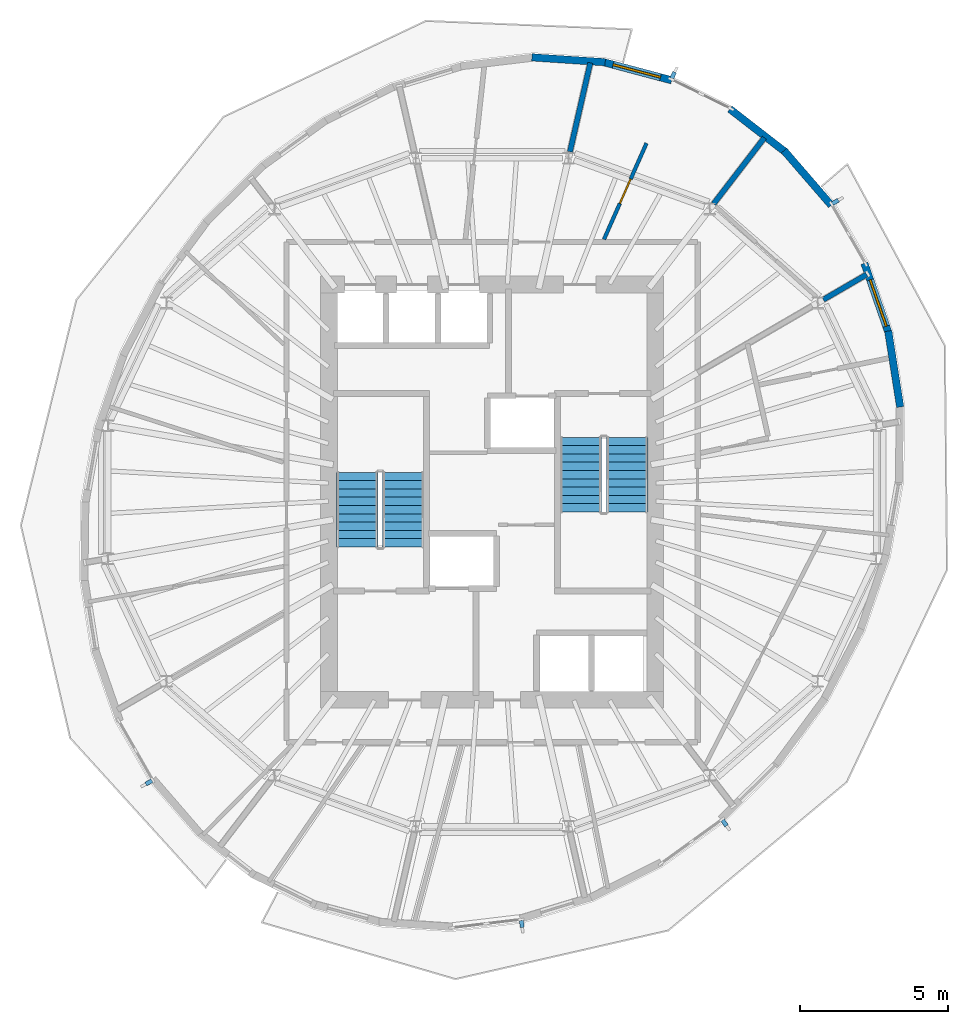
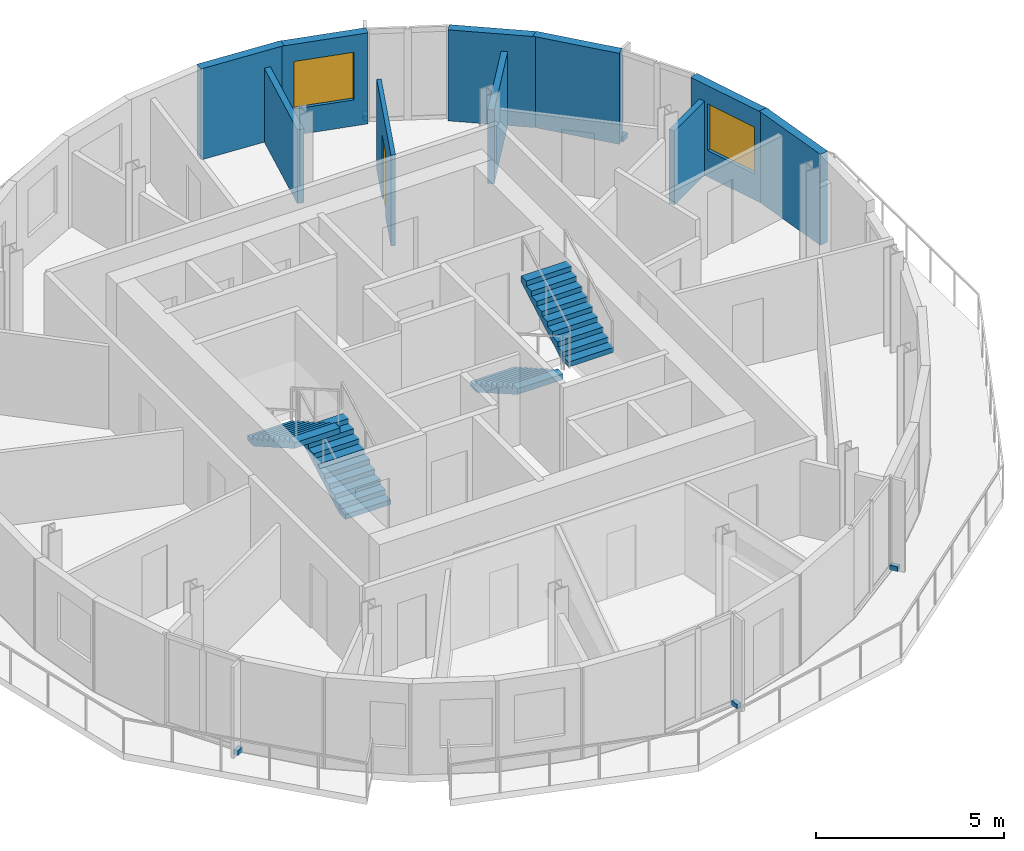
# One storey, part 7 of 9: 10 walls, 5 discrete accessories, 4 stair flights, 2 windows, 1 door, 3 openings, 2 elements without a shape of their own.
"""IFC4 building model written with IfcOpenShell, lengths in metres."""

from ifc_helpers import new_model, si_unit, direction, frame, frame_2d, origin, origin_2d, place, context, subcontext, project, spatial, polyline, rectangle, outline, extrude, material, layer, layer_set, type_object, element, fill, aggregate, save


model = new_model("IFC4")

# Units and contexts
model_context = context("Model", 3, precision=1e-05, world=origin(), true_north=direction((0.0, 1.0)))
body_context = subcontext(model_context, "Body", "Model", "MODEL_VIEW")
ifc_project = project(units=[si_unit("LENGTHUNIT", "METRE"), si_unit("AREAUNIT", "SQUARE_METRE"), si_unit("VOLUMEUNIT", "CUBIC_METRE"), si_unit("PLANEANGLEUNIT", "RADIAN"), si_unit("MASSUNIT", "GRAM", prefix="KILO")], contexts=[model_context])

# Site, building, storey
site_placement = place(None, origin())
site = spatial("IfcSite", under=ifc_project, at=site_placement, CompositionType="ELEMENT")
building_placement = place(site_placement, origin())
building = spatial("IfcBuilding", under=site, at=building_placement, Name="Veldorim Arch Residences", CompositionType="ELEMENT")
storey_placement = place(building_placement, frame((0.0, 0.0, 230.239990234375)))
storey = spatial("IfcBuildingStorey", under=building, at=storey_placement, Name="L69", CompositionType="ELEMENT", Elevation=230.239990234375)

# Wall, opening, door
ifc_material_1 = material(Name="Acoustic Gypsum Board", Category="gypsum")
ifc_layer_1 = layer(ifc_material_1, 0.125, Name="Acoustic Stud Room Partition Wall 125")
ifc_layer_set_1 = layer_set([ifc_layer_1], Name="Acoustic Gypsum Board")
wall_type_1 = type_object("IfcWallType", Name="Acoustic Stud Room Partition Wall 125", PredefinedType="PARTITIONING", material=ifc_layer_set_1)
wall_1_placement = place(storey_placement, frame((37.2041015625, 35.761474609375, 0.0), z_axis=(0.0, 0.0, 1.0), x_axis=(-0.404629035619, -0.9144809148, 0.0)))
wall_1 = element("IfcWall", 1, at=wall_1_placement, inside=storey, type_object=wall_type_1, Name="L69 interior wall WL-RES-L69-019", PredefinedType="PARTITIONING", context=body_context, shape_type="SweptSolid", body=[
    extrude(rectangle(XDim=3.54296875, YDim=0.125, at=frame_2d((1.771484375, 0.0))), origin(), (0.0, 0.0, 1.0), 2.955078125),
])
opening_1_placement = place(wall_1_placement, frame((1.321533203125, 0.0, 0.0)))
opening_1 = element("IfcOpeningElement", 2, at=opening_1_placement, cuts=wall_1, Name="Opening DR-INT", PredefinedType="OPENING", context=body_context, shape_type="SweptSolid", body=[
    extrude(rectangle(XDim=0.89990234375, YDim=2.10009765625, at=frame_2d((0.449951171875, 1.050048828125))), frame((0.0, 0.072509765625, 0.0), z_axis=(0.0, -1.0, 0.0), x_axis=(1.0, 0.0, 0.0)), (0.0, 0.0, 1.0), 0.14501953125),
])
ifc_material_2 = material(Name="Engineered Timber", Category="wood")
door_type = type_object("IfcDoorType", Name="Apartment Internal Room Timber Door 900x2100", OperationType="SINGLE_SWING_LEFT", PredefinedType="DOOR", material=ifc_material_2)
door_placement = place(opening_1_placement, origin())
door = element("IfcDoor", 3, at=door_placement, inside=storey, type_object=door_type, Name="L69 interior door DR-RES-L69-013", OperationType="SINGLE_SWING_LEFT", OverallHeight=2.10009765625, OverallWidth=0.89990234375, PredefinedType="DOOR", context=body_context, shape_type="SweptSolid", body=[
    extrude(rectangle(XDim=0.89990234375, YDim=2.10009765625, at=frame_2d((0.449951171875, 1.050048828125))), frame((0.0, 0.02490234375, 0.0), z_axis=(0.0, -1.0, 0.0), x_axis=(1.0, 0.0, 0.0)), (0.0, 0.0, 1.0), 0.050048828125),
])
fill(opening_1, door)

# Walls
ifc_material_3 = material(Name="Lightweight Masonry Block & Gypsum", Category="masonry")
ifc_layer_2 = layer(ifc_material_3, 0.179931640625, Name="Compartment & Corridor Fire-Rated Party Wall 180")
ifc_layer_set_2 = layer_set([ifc_layer_2], Name="Lightweight Masonry Block & Gypsum")
wall_type_2 = type_object("IfcWallType", Name="Compartment & Corridor Fire-Rated Party Wall 180", PredefinedType="PARTITIONING", material=ifc_layer_set_2)
wall_2_placement = place(storey_placement, frame((43.165283203125, 30.48828125, 0.0), z_axis=(0.0, 0.0, 1.0), x_axis=(0.864596354204, 0.502467057923, 0.0)))
element("IfcWall", 4, at=wall_2_placement, inside=storey, type_object=wall_type_2, Name="L69 interior wall WL-PIER-L69-02", PredefinedType="PARTITIONING", context=body_context, shape_type="SweptSolid", body=[
    extrude(rectangle(XDim=1.6875, YDim=0.179931640625, at=frame_2d((0.84375, 0.0))), origin(), (0.0, 0.0, 1.0), 2.4033203125),
])
wall_3_placement = place(storey_placement, frame((39.46728515625, 33.719482421875, 0.0), z_axis=(0.0, 0.0, 1.0), x_axis=(0.609243973043, 0.792982837967, 0.0)))
element("IfcWall", 5, at=wall_3_placement, inside=storey, type_object=wall_type_2, Name="L69 interior wall WL-PIER-L69-03", PredefinedType="PARTITIONING", context=body_context, shape_type="SweptSolid", body=[
    extrude(rectangle(XDim=2.806396484375, YDim=0.179931640625, at=frame_2d((1.4033203125, 0.0))), origin(), (0.0, 0.0, 1.0), 2.4033203125),
])
wall_4_placement = place(storey_placement, frame((34.6240234375, 35.473388671875, 0.0), z_axis=(0.0, 0.0, 1.0), x_axis=(0.223020975075, 0.974813646128, 0.0)))
element("IfcWall", 6, at=wall_4_placement, inside=storey, type_object=wall_type_2, Name="L69 interior wall WL-PIER-L69-04", PredefinedType="PARTITIONING", context=body_context, shape_type="SweptSolid", body=[
    extrude(rectangle(XDim=3.074951171875, YDim=0.179931640625, at=frame_2d((1.53759765625, 0.0))), origin(), (0.0, 0.0, 1.0), 2.4033203125),
])

# Wall, opening, window
ifc_material_4 = material(Name="Precast concrete C40/50", Category="concrete")
ifc_layer_3 = layer(ifc_material_4, 0.25, Name="Tower Terracotta Spandrel & Pier Wall 250")
ifc_layer_set_3 = layer_set([ifc_layer_3], Name="Precast concrete C40/50")
wall_type_3 = type_object("IfcWallType", Name="Tower Terracotta Spandrel & Pier Wall 250", PredefinedType="SOLIDWALL", material=ifc_layer_set_3)
wall_5_placement = place(storey_placement, frame((35.69970703125, 38.510986328125, 0.0), z_axis=(0.0, 0.0, 1.0), x_axis=(0.96631636381, -0.257357115761, 0.0)))
wall_5 = element("IfcWall", 7, at=wall_5_placement, inside=storey, type_object=wall_type_3, Name="L69 terracotta facade wall 02", PredefinedType="SOLIDWALL", context=body_context, shape_type="SweptSolid", body=[
    extrude(rectangle(XDim=2.43701171875, YDim=0.25, at=frame_2d((1.218505859375, 0.0))), origin(), (0.0, 0.0, 1.0), 2.9599609375),
])
opening_2_placement = place(wall_5_placement, frame((0.39306640625, 0.0, 0.85009765625)))
opening_2 = element("IfcOpeningElement", 8, at=opening_2_placement, cuts=wall_5, Name="Opening WN-03", PredefinedType="OPENING", context=body_context, shape_type="SweptSolid", body=[
    extrude(rectangle(XDim=1.64990234375, YDim=1.550048828125, at=frame_2d((0.824951171875, 0.77490234375))), frame((0.0, 0.135009765625, 0.0), z_axis=(0.0, -1.0, 0.0), x_axis=(1.0, 0.0, 0.0)), (0.0, 0.0, 1.0), 0.27001953125),
])
ifc_material_5 = material(Name="Laminated Low-E Glass", Category="glass")
window_type = type_object("IfcWindowType", Name="Residential Wide Window 1650x1550", PartitioningType="SINGLE_PANEL", PredefinedType="WINDOW", material=ifc_material_5)
window_1_placement = place(opening_2_placement, origin())
window_1 = element("IfcWindow", 9, at=window_1_placement, inside=storey, type_object=window_type, Name="L69 solar-control facade window 02", OverallHeight=1.550048828125, OverallWidth=1.64990234375, PartitioningType="SINGLE_PANEL", PredefinedType="WINDOW", context=body_context, shape_type="SweptSolid", body=[
    extrude(rectangle(XDim=1.64990234375, YDim=1.550048828125, at=frame_2d((0.824951171875, 0.77490234375))), frame((0.0, 0.030029296875, 0.0), z_axis=(0.0, -1.0, 0.0), x_axis=(1.0, 0.0, 0.0)), (0.0, 0.0, 1.0), 0.06005859375),
])
fill(opening_2, window_1)

# Walls
wall_6_placement = place(storey_placement, frame((33.339599609375, 38.658203125, 0.0), z_axis=(0.0, 0.0, 1.0), x_axis=(0.997759800667, -0.06689828228, 0.0)))
element("IfcWall", 10, at=wall_6_placement, inside=storey, type_object=wall_type_3, Name="L69 terracotta facade wall 03", PredefinedType="SOLIDWALL", context=body_context, shape_type="SweptSolid", body=[
    extrude(rectangle(XDim=2.47802734375, YDim=0.25, at=frame_2d((1.239013671875, 0.0))), origin(), (0.0, 0.0, 1.0), 2.9599609375),
])
wall_7_placement = place(storey_placement, frame((45.353271484375, 29.430908203125, 0.0), z_axis=(0.0, 0.0, 1.0), x_axis=(0.155778786526, -0.987791966797, 0.0)))
element("IfcWall", 11, at=wall_7_placement, inside=storey, type_object=wall_type_3, Name="L69 terracotta facade wall 32", PredefinedType="SOLIDWALL", context=body_context, shape_type="SweptSolid", body=[
    extrude(rectangle(XDim=2.59228515625, YDim=0.25, at=frame_2d((1.296142578125, 0.0))), origin(), (0.0, 0.0, 1.0), 2.9599609375),
])

# Wall, opening, window
wall_8_placement = place(storey_placement, frame((44.55126953125, 31.715087890625, 0.0), z_axis=(0.0, 0.0, 1.0), x_axis=(0.327428450427, -0.944875975909, 0.0)))
wall_8 = element("IfcWall", 12, at=wall_8_placement, inside=storey, type_object=wall_type_3, Name="L69 terracotta facade wall 33", PredefinedType="SOLIDWALL", context=body_context, shape_type="SweptSolid", body=[
    extrude(rectangle(XDim=2.5322265625, YDim=0.25, at=frame_2d((1.26611328125, 0.0))), origin(), (0.0, 0.0, 1.0), 2.9599609375),
])
opening_3_placement = place(wall_8_placement, frame((0.593017578125, 0.0, 0.85009765625)))
opening_3 = element("IfcOpeningElement", 13, at=opening_3_placement, cuts=wall_8, Name="Opening WN-03", PredefinedType="OPENING", context=body_context, shape_type="SweptSolid", body=[
    extrude(rectangle(XDim=1.64990234375, YDim=1.52001953125, at=frame_2d((0.824951171875, 0.760009765625))), frame((0.0, 0.135009765625, 0.0), z_axis=(0.0, -1.0, 0.0), x_axis=(1.0, 0.0, 0.0)), (0.0, 0.0, 1.0), 0.27001953125),
])
window_2_placement = place(opening_3_placement, origin())
window_2 = element("IfcWindow", 14, at=window_2_placement, inside=storey, type_object=window_type, Name="L69 solar-control facade window 33", OverallHeight=1.52001953125, OverallWidth=1.64990234375, PartitioningType="SINGLE_PANEL", PredefinedType="WINDOW", context=body_context, shape_type="SweptSolid", body=[
    extrude(rectangle(XDim=1.64990234375, YDim=1.52001953125, at=frame_2d((0.824951171875, 0.760009765625))), frame((0.0, 0.030029296875, 0.0), z_axis=(0.0, -1.0, 0.0), x_axis=(1.0, 0.0, 0.0)), (0.0, 0.0, 1.0), 0.06005859375),
])
fill(opening_3, window_2)

# Walls
wall_9_placement = place(storey_placement, frame((41.840576171875, 35.514404296875, 0.0), z_axis=(0.0, 0.0, 1.0), x_axis=(0.653838956375, -0.756633741732, 0.0)))
element("IfcWall", 15, at=wall_9_placement, inside=storey, type_object=wall_type_3, Name="L69 terracotta facade wall 35", PredefinedType="SOLIDWALL", context=body_context, shape_type="SweptSolid", body=[
    extrude(rectangle(XDim=2.436767578125, YDim=0.25, at=frame_2d((1.21826171875, 0.0))), origin(), (0.0, 0.0, 1.0), 2.9599609375),
])
wall_10_placement = place(storey_placement, frame((40.01513671875, 36.915283203125, 0.0), z_axis=(0.0, 0.0, 1.0), x_axis=(0.790325704793, -0.612686935019, 0.0)))
element("IfcWall", 16, at=wall_10_placement, inside=storey, type_object=wall_type_3, Name="L69 terracotta facade wall 36", PredefinedType="SOLIDWALL", context=body_context, shape_type="SweptSolid", body=[
    extrude(rectangle(XDim=2.414794921875, YDim=0.25, at=frame_2d((1.20751953125, 0.0))), origin(), (0.0, 0.0, 1.0), 2.9599609375),
])

# Stair, stair flights
ifc_material_6 = material(Name="Concrete C40/50", Category="concrete")
stair_type = type_object("IfcStairType", Name="Reinforced Concrete Dogleg Exit Staircase", PredefinedType="HALF_TURN_STAIR", material=ifc_material_6)
stair_1_placement = place(storey_placement, origin())
stair_1 = element("IfcStair", 17, at=stair_1_placement, inside=storey, type_object=stair_type, Name="L69 Exit Staircase ST-1", PredefinedType="HALF_TURN_STAIR")
ifc_material_7 = material(Name="Concrete C40/50", Category="concrete")
stair_flight_type = type_object("IfcStairFlightType", Name="Reinforced Concrete Stair Flight 1400", PredefinedType="STRAIGHT", material=ifc_material_7)
stair_flight_1_placement = place(storey_placement, frame((29.010009765625, 22.14990234375, 0.0), z_axis=(0.0, 0.0, 1.0), x_axis=(0.0, 1.0, 0.0)))
stair_flight_1 = element("IfcStairFlight", 18, at=stair_flight_1_placement, type_object=stair_flight_type, Name="ST-1 flight 1", NumberOfRisers=10, NumberOfTreads=9, PredefinedType="STRAIGHT", RiserHeight=0.16, TreadLength=0.28, context=body_context, shape_type="SweptSolid", body=[
    extrude(outline(polyline([(0.0, 0.0), (0.0, 0.159912109375), (0.280029296875, 0.159912109375), (0.280029296875, 0.320068359375), (0.56005859375, 0.320068359375), (0.56005859375, 0.47998046875), (0.840087890625, 0.47998046875), (0.840087890625, 0.639892578125), (1.1201171875, 0.639892578125), (1.1201171875, 0.800048828125), (1.39990234375, 0.800048828125), (1.39990234375, 0.9599609375), (1.679931640625, 0.9599609375), (1.679931640625, 1.1201171875), (1.9599609375, 1.1201171875), (1.9599609375, 1.280029296875), (2.239990234375, 1.280029296875), (2.239990234375, 1.43994140625), (2.52001953125, 1.43994140625), (2.52001953125, 1.60009765625), (2.52001953125, 1.255859375), (0.322265625, 0.0), (0.0, 0.0)])), frame((0.0, 0.699951171875, 0.0), z_axis=(0.0, -1.0, 0.0), x_axis=(1.0, 0.0, 0.0)), (0.0, 0.0, 1.0), 1.39990234375),
])
stair_flight_2_placement = place(storey_placement, frame((27.449951171875, 24.669921875, 1.60009765625), z_axis=(0.0, 0.0, 1.0), x_axis=(0.0, -1.0, 0.0)))
stair_flight_2 = element("IfcStairFlight", 19, at=stair_flight_2_placement, type_object=stair_flight_type, Name="ST-1 flight 2", NumberOfRisers=10, NumberOfTreads=9, PredefinedType="STRAIGHT", RiserHeight=0.16, TreadLength=0.28, context=body_context, shape_type="SweptSolid", body=[
    extrude(outline(polyline([(0.0, 0.0), (0.0, 0.159912109375), (0.280029296875, 0.159912109375), (0.280029296875, 0.320068359375), (0.56005859375, 0.320068359375), (0.56005859375, 0.47998046875), (0.840087890625, 0.47998046875), (0.840087890625, 0.639892578125), (1.1201171875, 0.639892578125), (1.1201171875, 0.800048828125), (1.39990234375, 0.800048828125), (1.39990234375, 0.9599609375), (1.679931640625, 0.9599609375), (1.679931640625, 1.1201171875), (1.9599609375, 1.1201171875), (1.9599609375, 1.280029296875), (2.239990234375, 1.280029296875), (2.239990234375, 1.43994140625), (2.52001953125, 1.43994140625), (2.52001953125, 1.60009765625), (2.52001953125, 1.255859375), (0.322265625, 0.0), (0.0, 0.0)])), frame((0.0, 0.699951171875, 0.0), z_axis=(0.0, -1.0, 0.0), x_axis=(1.0, 0.0, 0.0)), (0.0, 0.0, 1.0), 1.39990234375),
])
aggregate(stair_1, [stair_flight_1, stair_flight_2])

stair_2_placement = place(storey_placement, origin())
stair_2 = element("IfcStair", 20, at=stair_2_placement, inside=storey, type_object=stair_type, Name="L69 Exit Staircase ST-2", PredefinedType="HALF_TURN_STAIR")
stair_flight_3_placement = place(storey_placement, frame((34.989990234375, 25.85009765625, 0.0), z_axis=(0.0, 0.0, 1.0), x_axis=(0.0, -1.0, 0.0)))
stair_flight_3 = element("IfcStairFlight", 21, at=stair_flight_3_placement, type_object=stair_flight_type, Name="ST-2 flight 1", NumberOfRisers=10, NumberOfTreads=9, PredefinedType="STRAIGHT", RiserHeight=0.16, TreadLength=0.28, context=body_context, shape_type="SweptSolid", body=[
    extrude(outline(polyline([(0.0, 0.0), (0.0, 0.159912109375), (0.280029296875, 0.159912109375), (0.280029296875, 0.320068359375), (0.56005859375, 0.320068359375), (0.56005859375, 0.47998046875), (0.840087890625, 0.47998046875), (0.840087890625, 0.639892578125), (1.1201171875, 0.639892578125), (1.1201171875, 0.800048828125), (1.39990234375, 0.800048828125), (1.39990234375, 0.9599609375), (1.679931640625, 0.9599609375), (1.679931640625, 1.1201171875), (1.9599609375, 1.1201171875), (1.9599609375, 1.280029296875), (2.239990234375, 1.280029296875), (2.239990234375, 1.43994140625), (2.52001953125, 1.43994140625), (2.52001953125, 1.60009765625), (2.52001953125, 1.255859375), (0.322265625, 0.0), (0.0, 0.0)])), frame((0.0, 0.699951171875, 0.0), z_axis=(0.0, -1.0, 0.0), x_axis=(1.0, 0.0, 0.0)), (0.0, 0.0, 1.0), 1.39990234375),
])
stair_flight_4_placement = place(storey_placement, frame((36.550048828125, 23.330078125, 1.60009765625), z_axis=(0.0, 0.0, 1.0), x_axis=(0.0, 1.0, 0.0)))
stair_flight_4 = element("IfcStairFlight", 22, at=stair_flight_4_placement, type_object=stair_flight_type, Name="ST-2 flight 2", NumberOfRisers=10, NumberOfTreads=9, PredefinedType="STRAIGHT", RiserHeight=0.16, TreadLength=0.28, context=body_context, shape_type="SweptSolid", body=[
    extrude(outline(polyline([(0.0, 0.0), (0.0, 0.159912109375), (0.280029296875, 0.159912109375), (0.280029296875, 0.320068359375), (0.56005859375, 0.320068359375), (0.56005859375, 0.47998046875), (0.840087890625, 0.47998046875), (0.840087890625, 0.639892578125), (1.1201171875, 0.639892578125), (1.1201171875, 0.800048828125), (1.39990234375, 0.800048828125), (1.39990234375, 0.9599609375), (1.679931640625, 0.9599609375), (1.679931640625, 1.1201171875), (1.9599609375, 1.1201171875), (1.9599609375, 1.280029296875), (2.239990234375, 1.280029296875), (2.239990234375, 1.43994140625), (2.52001953125, 1.43994140625), (2.52001953125, 1.60009765625), (2.52001953125, 1.255859375), (0.322265625, 0.0), (0.0, 0.0)])), frame((0.0, 0.699951171875, 0.0), z_axis=(0.0, -1.0, 0.0), x_axis=(1.0, 0.0, 0.0)), (0.0, 0.0, 1.0), 1.39990234375),
])
aggregate(stair_2, [stair_flight_3, stair_flight_4])

# Discrete accessories
ifc_material_8 = material(Name="Stainless Steel", Category="steel")
discrete_accessory_type = type_object("IfcDiscreteAccessoryType", Name="Stainless Steel Facade Fin Anchor Bracket", PredefinedType="BRACKET", material=ifc_material_8)
for number, where, z_axis, x_axis, name in (
    (23, (38.102294921875, 38.051025390625, -0.02001953125), (0.0, 0.0, 1.0), (0.89656374724, -0.442914717678, 0.0), "L69 stainless fin anchor bracket 01"),
    (24, (20.432373046875, 14.2177734375, -0.02001953125), (0.0, 0.0, 1.0), (-0.496216503675, 0.868198814489, 0.0), "L69 stainless fin anchor bracket 16"),
    (25, (33.001220703125, 9.447998046875, -0.02001953125), (0.0, 0.0, 1.0), (-0.992944827592, -0.118577271677, 0.0), "L69 stainless fin anchor bracket 22"),
    (26, (39.833740234375, 12.849609375, -0.02001953125), (0.0, 0.0, 1.0), (-0.81014396939, -0.586230968869, 0.0), "L69 stainless fin anchor bracket 25"),
    (27, (43.567626953125, 33.7822265625, -0.02001953125), (0.0, 0.0, 1.0), (0.496216503675, -0.868198814489, 0.0), "L69 stainless fin anchor bracket 34"),
):
    element("IfcDiscreteAccessory", number, at=place(storey_placement, frame(where, z_axis=z_axis, x_axis=x_axis)), inside=storey, type_object=discrete_accessory_type, Name=name, PredefinedType="BRACKET", context=body_context, shape_type="SweptSolid", body=[
        extrude(rectangle(XDim=0.139892578125, YDim=0.239990234375, at=origin_2d()), origin(), (0.0, 0.0, 1.0), 0.159912109375),
    ])

save(model, "model.ifc")
